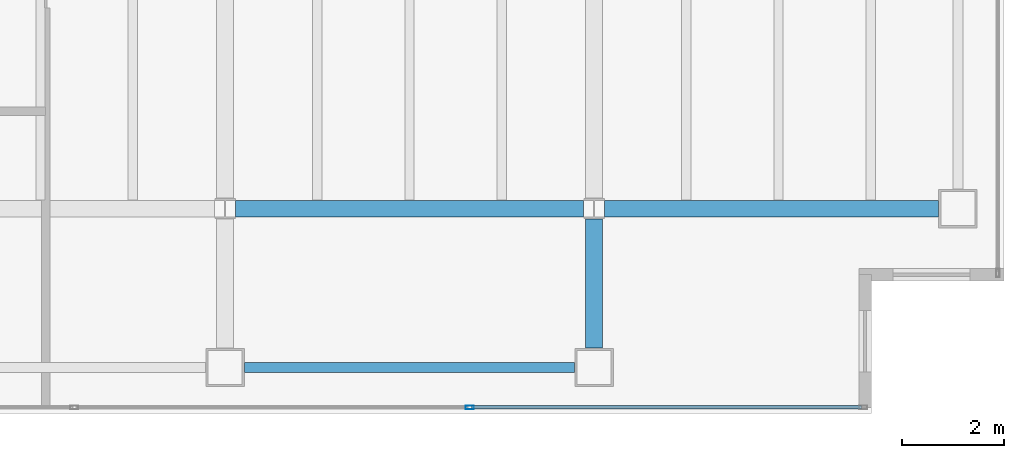
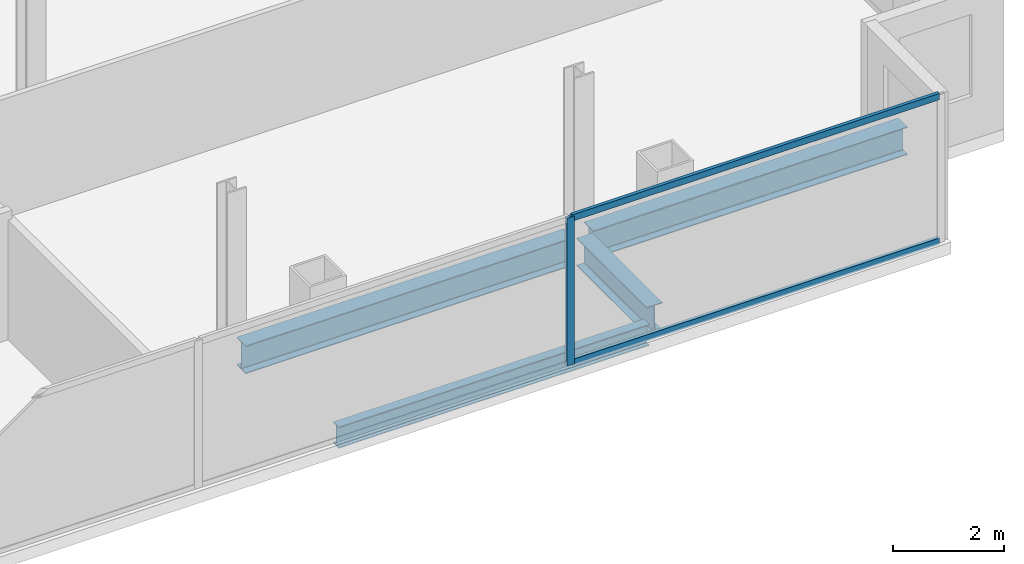
# One storey, part 10 of 23: 4 beams, 3 members, 1 element without a shape of its own.
"""IFC4 building model written with IfcOpenShell, lengths in metres."""

from ifc_helpers import new_model, si_unit, direction, frame, origin, origin_2d, place, context, subcontext, project, spatial, hollow_rectangle, i_section, extrude, material, material_profile, profile_set, type_object, element, aggregate, save


model = new_model("IFC4")

# Units and contexts
model_context = context("Model", 3, precision=1e-05, world=origin(), true_north=direction((0.0, 1.0)))
body_context = subcontext(model_context, "Body", "Model", "MODEL_VIEW")
ifc_project = project(units=[si_unit("LENGTHUNIT", "METRE"), si_unit("AREAUNIT", "SQUARE_METRE"), si_unit("VOLUMEUNIT", "CUBIC_METRE"), si_unit("PLANEANGLEUNIT", "RADIAN"), si_unit("MASSUNIT", "GRAM", prefix="KILO")], contexts=[model_context])

# Site, building, storey
site_placement = place(None, origin())
site = spatial("IfcSite", under=ifc_project, at=site_placement, CompositionType="ELEMENT")
building_placement = place(site_placement, origin())
building = spatial("IfcBuilding", under=site, at=building_placement, Name="Cobrela Telecom Tower", CompositionType="ELEMENT")
storey_placement = place(building_placement, frame((0.0, 0.0, 204.75)))
storey = spatial("IfcBuildingStorey", under=building, at=storey_placement, Name="L52", CompositionType="ELEMENT", Elevation=204.75)

# Beams
ifc_material_1 = material(Name="Steel ASTM A992 Grade 50", Category="steel")
ifc_material_profile_1 = material_profile(ifc_material_1, i_section(OverallWidth=0.324951171875, OverallDepth=0.612060546875, WebThickness=0.0126953125, FlangeThickness=0.01904296875, FilletRadius=0.014892578125, at=origin_2d()), Name="W24X104")
ifc_profile_set_1 = profile_set([ifc_material_profile_1], Name="Steel ASTM A992 Grade 50")
beam_type_1 = type_object("IfcBeamType", Name="BM-GIRD-07", PredefinedType="USERDEFINED", material=ifc_profile_set_1)
beam_1_placement = place(storey_placement, frame((29.00439453125, 7.199951171875, -0.56591796875), z_axis=(1.0, 0.0, 0.0), x_axis=(0.0, 1.0, 0.0)))
element("IfcBeam", 1, at=beam_1_placement, inside=storey, type_object=beam_type_1, Name="L52 Primary Girder X09", ObjectType="GIRDER", PredefinedType="USERDEFINED", context=body_context, shape_type="SweptSolid", body=[
    extrude(i_section(OverallWidth=0.324951171875, OverallDepth=0.612060546875, WebThickness=0.0126953125, FlangeThickness=0.01904296875, FilletRadius=0.014892578125, at=origin_2d()), origin(), (0.0, 0.0, 1.0), 6.791015625),
])
beam_2_placement = place(storey_placement, frame((36.20458984375, 7.199951171875, -0.56591796875), z_axis=(1.0, 0.0, 0.0), x_axis=(0.0, 1.0, 0.0)))
element("IfcBeam", 2, at=beam_2_placement, inside=storey, type_object=beam_type_1, Name="L52 Primary Girder X10", ObjectType="GIRDER", PredefinedType="USERDEFINED", context=body_context, shape_type="SweptSolid", body=[
    extrude(i_section(OverallWidth=0.324951171875, OverallDepth=0.612060546875, WebThickness=0.0126953125, FlangeThickness=0.01904296875, FilletRadius=0.014892578125, at=origin_2d()), origin(), (0.0, 0.0, 1.0), 6.515380859375),
])
beam_3_placement = place(storey_placement, frame((36.0, 4.47998046875, -0.56591796875), z_axis=(0.0, 1.0, 0.0), x_axis=(-1.0, 0.0, 0.0)))
element("IfcBeam", 3, at=beam_3_placement, inside=storey, type_object=beam_type_1, Name="L52 Primary Girder Y39", ObjectType="GIRDER", PredefinedType="USERDEFINED", context=body_context, shape_type="SweptSolid", body=[
    extrude(i_section(OverallWidth=0.324951171875, OverallDepth=0.612060546875, WebThickness=0.0126953125, FlangeThickness=0.01904296875, FilletRadius=0.014892578125, at=origin_2d()), origin(), (0.0, 0.0, 1.0), 2.515625),
])
ifc_material_profile_2 = material_profile(ifc_material_1, i_section(OverallWidth=0.193115234375, OverallDepth=0.467041015625, WebThickness=0.011474609375, FlangeThickness=0.01904296875, FilletRadius=0.012939453125, at=origin_2d()), Name="W18X65")
ifc_profile_set_2 = profile_set([ifc_material_profile_2], Name="Steel ASTM A992 Grade 50")
beam_type_2 = type_object("IfcBeamType", Name="BM-SPAND-05", PredefinedType="SPANDREL", material=ifc_profile_set_2)
beam_4_placement = place(storey_placement, frame((29.179931640625, 4.10009765625, -0.493408203125), z_axis=(1.0, 0.0, 0.0), x_axis=(0.0, 1.0, 0.0)))
element("IfcBeam", 4, at=beam_4_placement, inside=storey, type_object=beam_type_2, Name="L52 Perimeter Spandrel X04", PredefinedType="SPANDREL", context=body_context, shape_type="SweptSolid", body=[
    extrude(i_section(OverallWidth=0.193115234375, OverallDepth=0.467041015625, WebThickness=0.011474609375, FlangeThickness=0.01904296875, FilletRadius=0.012939453125, at=origin_2d()), origin(), (0.0, 0.0, 1.0), 6.440185546875),
])

# Curtain wall, members
ifc_material_2 = material(Name="Anodized Bronze Aluminium 6063-T6", Category="aluminium")
curtain_wall_type = type_object("IfcCurtainWallType", Name="CW-SYS-OFF-LO", PredefinedType="USERDEFINED", material=ifc_material_2)
curtain_wall_placement = place(storey_placement, origin())
curtain_wall = element("IfcCurtainWall", 5, at=curtain_wall_placement, inside=storey, type_object=curtain_wall_type, Name="L52 Unitised Bronze Curtain Wall 17", ObjectType="UNITISED CURTAIN WALL", PredefinedType="USERDEFINED")
ifc_material_profile_3 = material_profile(ifc_material_2, hollow_rectangle(XDim=0.070068359375, YDim=0.159912109375, WallThickness=0.00390625, at=origin_2d()), Name="ALU 70x160x4")
ifc_profile_set_3 = profile_set([ifc_material_profile_3], Name="Anodized Bronze Aluminium 6063-T6")
member_type_1 = type_object("IfcMemberType", Name="CW-SYS-OFF-LO-MUL", PredefinedType="MULLION", material=ifc_profile_set_3)
member_1_placement = place(storey_placement, frame((33.573974609375, 3.320068359375, 0.0), z_axis=(0.0, 0.0, 1.0), x_axis=(0.0, -1.0, 0.0)))
member_1 = element("IfcMember", 6, at=member_1_placement, type_object=member_type_1, Name="CW-OFF-LO mullion 2", PredefinedType="MULLION", context=body_context, shape_type="SweptSolid", body=[
    extrude(hollow_rectangle(XDim=0.070068359375, YDim=0.159912109375, WallThickness=0.00390625, at=origin_2d()), origin(), (0.0, 0.0, 1.0), 3.239990234375),
])
ifc_material_profile_4 = material_profile(ifc_material_2, hollow_rectangle(XDim=0.070068359375, YDim=0.139892578125, WallThickness=0.00390625, at=origin_2d()), Name="ALU 70x140x4")
ifc_profile_set_4 = profile_set([ifc_material_profile_4], Name="Anodized Bronze Aluminium 6063-T6")
member_type_2 = type_object("IfcMemberType", Name="CW-SYS-OFF-LO-TRN", PredefinedType="USERDEFINED", material=ifc_profile_set_4)
member_2_placement = place(storey_placement, frame((41.219970703125, 3.320068359375, 0.034912109375), z_axis=(-1.0, 0.0, 0.0), x_axis=(0.0, -1.0, 0.0)))
member_2 = element("IfcMember", 7, at=member_2_placement, type_object=member_type_2, Name="CW-OFF-LO transom 1.1", ObjectType="TRANSOM", PredefinedType="USERDEFINED", context=body_context, shape_type="SweptSolid", body=[
    extrude(hollow_rectangle(XDim=0.070068359375, YDim=0.139892578125, WallThickness=0.00390625, at=origin_2d()), origin(), (0.0, 0.0, 1.0), 7.611083984375),
])
member_3_placement = place(storey_placement, frame((41.219970703125, 3.320068359375, 3.205078125), z_axis=(-1.0, 0.0, 0.0), x_axis=(0.0, -1.0, 0.0)))
member_3 = element("IfcMember", 8, at=member_3_placement, type_object=member_type_2, Name="CW-OFF-LO transom 1.2", ObjectType="TRANSOM", PredefinedType="USERDEFINED", context=body_context, shape_type="SweptSolid", body=[
    extrude(hollow_rectangle(XDim=0.070068359375, YDim=0.139892578125, WallThickness=0.00390625, at=origin_2d()), origin(), (0.0, 0.0, 1.0), 7.611083984375),
])
aggregate(curtain_wall, [member_1, member_2, member_3])

save(model, "model.ifc")
